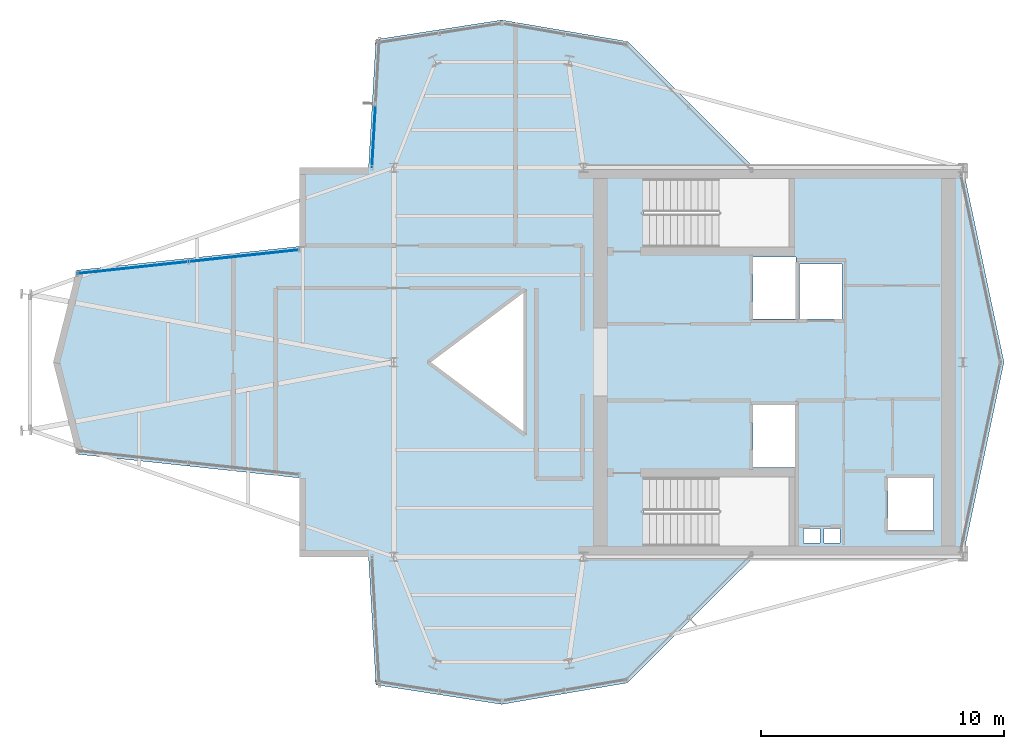
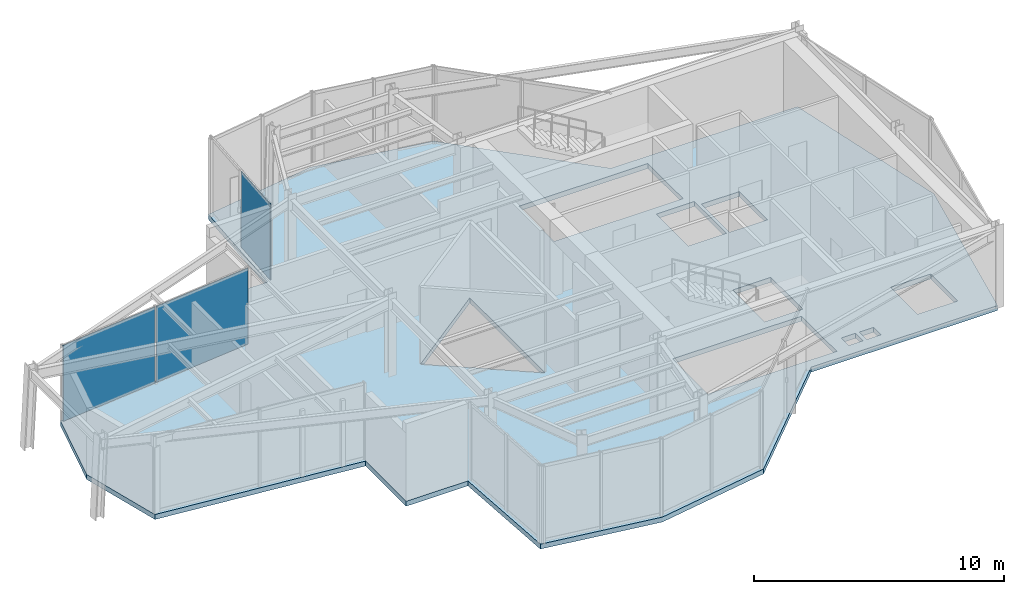
# One storey, part 9 of 13: 3 plates, 1 slab, 2 elements without a shape of their own.
"""IFC4 building model written with IfcOpenShell, lengths in metres."""

from ifc_helpers import new_model, si_unit, direction, frame, origin, origin_2d, place, context, subcontext, project, spatial, polyline, rectangle, outline, extrude, material, layer, layer_set, type_object, element, aggregate, save


model = new_model("IFC4")

# Units and contexts
model_context = context("Model", 3, precision=1e-05, world=origin(), true_north=direction((0.0, 1.0)))
body_context = subcontext(model_context, "Body", "Model", "MODEL_VIEW")
ifc_project = project(units=[si_unit("LENGTHUNIT", "METRE"), si_unit("AREAUNIT", "SQUARE_METRE"), si_unit("VOLUMEUNIT", "CUBIC_METRE"), si_unit("PLANEANGLEUNIT", "RADIAN"), si_unit("MASSUNIT", "GRAM", prefix="KILO")], contexts=[model_context])

# Site, building, storey
site_placement = place(None, origin())
site = spatial("IfcSite", under=ifc_project, at=site_placement, CompositionType="ELEMENT")
building_placement = place(site_placement, origin())
building = spatial("IfcBuilding", under=site, at=building_placement, Name="Veymaron Broadcast Tower", CompositionType="ELEMENT")
storey_placement = place(building_placement, frame((0.0, 0.0, 311.39990234375)))
storey = spatial("IfcBuildingStorey", under=building, at=storey_placement, Name="L73", CompositionType="ELEMENT", Elevation=311.39990234375)

# Curtain wall, plate
ifc_material_1 = material(Name="Anodised aluminium AA 6063-T6 and laminated low-E dark glass", Category="aluminium")
ifc_layer_1 = layer(ifc_material_1, 0.179931640625)
ifc_layer_set_1 = layer_set([ifc_layer_1], Name="Anodised aluminium AA 6063-T6 and laminated low-E dark glass")
curtain_wall_type = type_object("IfcCurtainWallType", Name="CW-SYS-06", PredefinedType="NOTDEFINED", material=ifc_layer_set_1)
curtain_wall_1_placement = place(storey_placement, origin())
curtain_wall_1 = element("IfcCurtainWall", 1, at=curtain_wall_1_placement, inside=storey, type_object=curtain_wall_type, Name="L73 dark-glass curtain wall CW-L73-E8-1", PredefinedType="NOTDEFINED")
ifc_material_2 = material(Name="Insulated dark-anodised aluminium spandrel panel 40 mm", Category="aluminium")
ifc_layer_2 = layer(ifc_material_2, 0.0400390625)
ifc_layer_set_2 = layer_set([ifc_layer_2], Name="Insulated dark-anodised aluminium spandrel panel 40 mm")
plate_type = type_object("IfcPlateType", Name="CW-PNL-03", PredefinedType="CURTAIN_PANEL", material=ifc_layer_set_2)
plate_1_placement = place(storey_placement, frame((30.375732421875, 33.30810546875, 0.0400390625), z_axis=(0.0, 0.0, 1.0), x_axis=(-0.057720845415, -0.998332762161, 0.0)))
plate_1 = element("IfcPlate", 2, at=plate_1_placement, type_object=plate_type, Name="CW-L73-E8-1 unitised curtain panel 1", PredefinedType="CURTAIN_PANEL", context=body_context, shape_type="SweptSolid", body=[
    extrude(rectangle(XDim=2.576904296875, YDim=0.0400390625, at=origin_2d()), origin(), (0.0, 0.0, 1.0), 3.699951171875),
])
aggregate(curtain_wall_1, [plate_1])

# Curtain wall, plates
curtain_wall_2_placement = place(storey_placement, origin())
curtain_wall_2 = element("IfcCurtainWall", 3, at=curtain_wall_2_placement, inside=storey, type_object=curtain_wall_type, Name="L73 dark-glass curtain wall CW-L73-E11-1", PredefinedType="NOTDEFINED")
plate_2_placement = place(storey_placement, frame((25.0400390625, 28.375732421875, 0.0400390625), z_axis=(0.0, 0.0, 1.0), x_axis=(-0.994321239945, -0.106420260264, 0.0)))
plate_2 = element("IfcPlate", 4, at=plate_2_placement, type_object=plate_type, Name="CW-L73-E11-1 unitised curtain panel 0", PredefinedType="CURTAIN_PANEL", context=body_context, shape_type="SweptSolid", body=[
    extrude(rectangle(XDim=4.54296875, YDim=0.0400390625, at=origin_2d()), origin(), (0.0, 0.0, 1.0), 3.699951171875),
])
plate_3_placement = place(storey_placement, frame((20.46337890625, 27.885986328125, 0.0400390625), z_axis=(0.0, 0.0, 1.0), x_axis=(-0.994321239945, -0.106420260264, 0.0)))
plate_3 = element("IfcPlate", 5, at=plate_3_placement, type_object=plate_type, Name="CW-L73-E11-1 unitised curtain panel 1", PredefinedType="CURTAIN_PANEL", context=body_context, shape_type="SweptSolid", body=[
    extrude(rectangle(XDim=4.54296875, YDim=0.0400390625, at=origin_2d()), origin(), (0.0, 0.0, 1.0), 3.699951171875),
])
aggregate(curtain_wall_2, [plate_2, plate_3])

# Slab
ifc_material_3 = material(Name="Concrete C40/50", Category="concrete")
ifc_layer_3 = layer(ifc_material_3, 0.239990234375)
ifc_layer_set_3 = layer_set([ifc_layer_3], Name="Concrete C40/50")
slab_type = type_object("IfcSlabType", Name="SLAB-FS6", PredefinedType="FLOOR", material=ifc_layer_set_3)
slab_placement = place(storey_placement, frame((0.0, 0.0, -0.239990234375)))
element("IfcSlab", 6, at=slab_placement, inside=storey, type_object=slab_type, Name="L73 structural floor slab", PredefinedType="FLOOR", context=body_context, shape_type="SweptSolid", body=[
    extrude(outline(polyline([(45.999267578125, 16.0), (54.60009765625, 16.0), (56.288330078125, 24.0), (54.60009765625, 32.0), (45.999267578125, 32.0), (40.81005859375, 37.184814453125), (35.63720703125, 38.069091796875), (30.46435546875, 37.26513671875), (30.159912109375, 32.0), (27.313720703125, 32.0), (27.313720703125, 28.760009765625), (18.159912109375, 27.7802734375), (17.1953125, 24.0), (18.159912109375, 20.2197265625), (27.313720703125, 19.239990234375), (27.313720703125, 16.0), (30.159912109375, 16.0), (30.46435546875, 10.73486328125), (35.63720703125, 9.930908203125), (40.81005859375, 10.815185546875), (45.999267578125, 16.0)]), holes=[polyline([(45.969970703125, 28.330078125), (47.72998046875, 28.330078125), (47.72998046875, 25.77001953125), (45.969970703125, 25.77001953125), (45.969970703125, 28.330078125)]), polyline([(45.969970703125, 22.22998046875), (47.72998046875, 22.22998046875), (47.72998046875, 19.669921875), (45.969970703125, 19.669921875), (45.969970703125, 22.22998046875)]), polyline([(47.8701171875, 28.030029296875), (49.6298828125, 28.030029296875), (49.6298828125, 25.77001953125), (47.8701171875, 25.77001953125), (47.8701171875, 28.030029296875)]), polyline([(51.52001953125, 19.22998046875), (53.3798828125, 19.22998046875), (53.3798828125, 17.070068359375), (51.52001953125, 17.070068359375), (51.52001953125, 19.22998046875)]), polyline([(48.050048828125, 17.159912109375), (48.719970703125, 17.159912109375), (48.719970703125, 16.56005859375), (48.050048828125, 16.56005859375), (48.050048828125, 17.159912109375)]), polyline([(48.8798828125, 17.159912109375), (49.550048828125, 17.159912109375), (49.550048828125, 16.56005859375), (48.8798828125, 16.56005859375), (48.8798828125, 17.159912109375)]), polyline([(36.60009765625, 27.0), (36.60009765625, 21.0), (32.60009765625, 24.0), (36.60009765625, 27.0)]), polyline([(41.489990234375, 31.550048828125), (47.43994140625, 31.550048828125), (47.43994140625, 28.72998046875), (41.489990234375, 28.72998046875), (41.489990234375, 31.550048828125)]), polyline([(41.489990234375, 19.27001953125), (47.43994140625, 19.27001953125), (47.43994140625, 16.449951171875), (41.489990234375, 16.449951171875), (41.489990234375, 19.27001953125)])]), origin(), (0.0, 0.0, 1.0), 0.239990234375),
])

save(model, "model.ifc")
